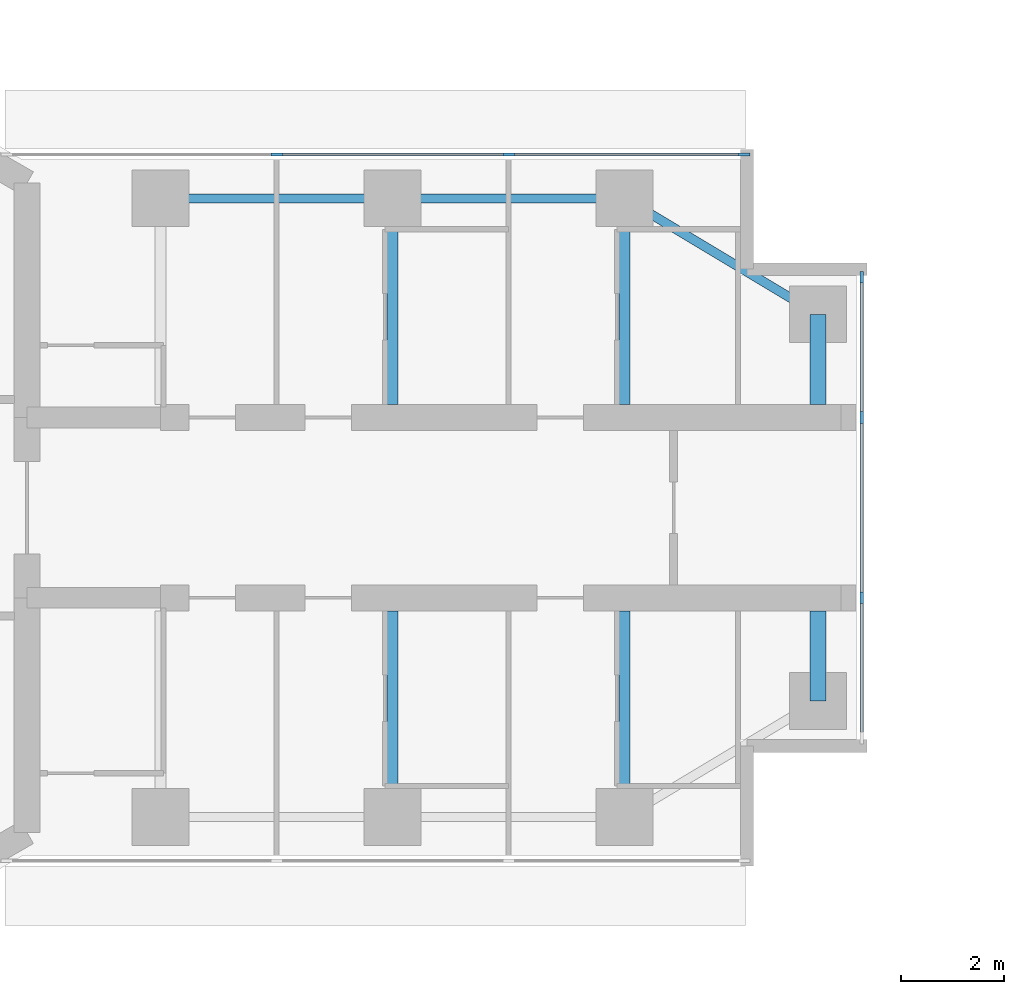
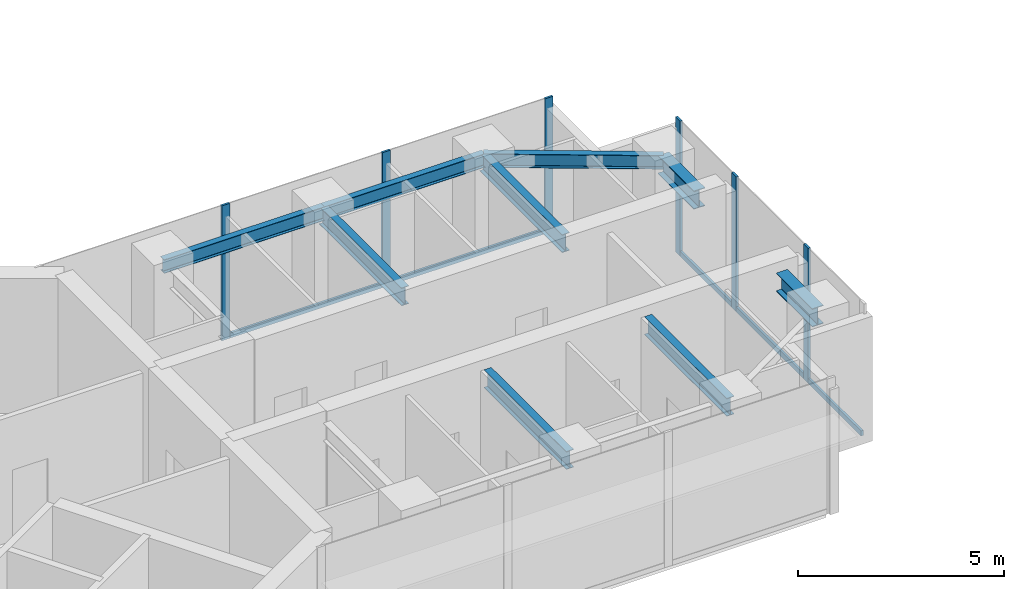
# One storey, part 7 of 17: 11 members, 9 beams, 2 elements without a shape of their own.
"""IFC4 building model written with IfcOpenShell, lengths in metres."""

from ifc_helpers import new_model, si_unit, direction, frame, origin, origin_2d, place, context, subcontext, project, spatial, rectangle, i_section, extrude, material, material_profile, profile_set, type_object, element, aggregate, save


model = new_model("IFC4")

# Units and contexts
model_context = context("Model", 3, precision=1e-05, world=origin(), true_north=direction((0.0, 1.0)))
body_context = subcontext(model_context, "Body", "Model", "MODEL_VIEW")
ifc_project = project(units=[si_unit("LENGTHUNIT", "METRE"), si_unit("AREAUNIT", "SQUARE_METRE"), si_unit("VOLUMEUNIT", "CUBIC_METRE"), si_unit("PLANEANGLEUNIT", "RADIAN"), si_unit("MASSUNIT", "GRAM", prefix="KILO")], contexts=[model_context])

# Site, building, storey
site_placement = place(None, origin())
site = spatial("IfcSite", under=ifc_project, at=site_placement, CompositionType="ELEMENT")
building_placement = place(site_placement, origin())
building = spatial("IfcBuilding", under=site, at=building_placement, Name="Upepo Twin Towers", CompositionType="ELEMENT")
storey_placement = place(building_placement, frame((0.0, 0.0, 234.5)))
storey = spatial("IfcBuildingStorey", under=building, at=storey_placement, Name="L57", CompositionType="ELEMENT", Elevation=234.5)

# Beams
ifc_material_1 = material(Name="Steel S355", Category="steel")
ifc_material_profile_1 = material_profile(ifc_material_1, i_section(OverallWidth=0.177978515625, OverallDepth=0.406494140625, WebThickness=0.0078125, FlangeThickness=0.0126953125, FilletRadius=0.01025390625, at=origin_2d()), Name="UB 406x178x60")
ifc_profile_set_1 = profile_set([ifc_material_profile_1], Name="Steel S355")
beam_type_1 = type_object("IfcBeamType", Name="Beam UB 406x178x60", PredefinedType="BEAM", material=ifc_profile_set_1)
for number, where, z_axis, x_axis, name in (
    (1, (13.5, 6.0, 3.496826171875), (1.0, 0.0, 0.0), (0.0, 1.0, 0.0), "T1 edge beam AL 13.5-18.0"),
    (2, (18.0, 6.0, 3.496826171875), (1.0, 0.0, 0.0), (0.0, 1.0, 0.0), "T1 edge beam AL 18.0-22.5"),
):
    element("IfcBeam", number, at=place(storey_placement, frame(where, z_axis=z_axis, x_axis=x_axis)), inside=storey, type_object=beam_type_1, Name=name, PredefinedType="BEAM", context=body_context, shape_type="SweptSolid", body=[
        extrude(i_section(OverallWidth=0.177978515625, OverallDepth=0.406494140625, WebThickness=0.0078125, FlangeThickness=0.0126953125, FilletRadius=0.01025390625, at=origin_2d()), origin(), (0.0, 0.0, 1.0), 4.5),
    ])
beam_placement = place(storey_placement, frame((22.5, 6.0, 3.496826171875), z_axis=(0.857492925713, -0.514495755428, 0.0), x_axis=(0.514495755428, 0.857492925713, 0.0)))
element("IfcBeam", 3, at=beam_placement, inside=storey, type_object=beam_type_1, Name="T1 nose edge beam AL", PredefinedType="BEAM", context=body_context, shape_type="SweptSolid", body=[
    extrude(i_section(OverallWidth=0.177978515625, OverallDepth=0.406494140625, WebThickness=0.0078125, FlangeThickness=0.0126953125, FilletRadius=0.01025390625, at=origin_2d()), origin(), (0.0, 0.0, 1.0), 4.373291015625),
])
ifc_material_2 = material(Name="Steel S355", Category="steel")
ifc_material_profile_2 = material_profile(ifc_material_2, i_section(OverallWidth=0.209228515625, OverallDepth=0.533203125, WebThickness=0.010009765625, FlangeThickness=0.015625, FilletRadius=0.0126953125, at=origin_2d()), Name="UB 533x210x92")
ifc_profile_set_2 = profile_set([ifc_material_profile_2], Name="Steel S355")
beam_type_2 = type_object("IfcBeamType", Name="Beam UB 533x210x92", PredefinedType="BEAM", material=ifc_profile_set_2)
for number, where, z_axis, x_axis, name in (
    (4, (18.0, 6.0, 3.433349609375), (0.0, -1.0, 0.0), (1.0, 0.0, 0.0), "T1 girder AL at 18.0"),
    (5, (22.5, 6.0, 3.433349609375), (0.0, -1.0, 0.0), (1.0, 0.0, 0.0), "T1 girder AL at 22.5"),
    (6, (18.0, -6.0, 3.433349609375), (0.0, 1.0, 0.0), (-1.0, 0.0, 0.0), "T1 girder AR at 18.0"),
    (7, (22.5, -6.0, 3.433349609375), (0.0, 1.0, 0.0), (-1.0, 0.0, 0.0), "T1 girder AR at 22.5"),
):
    element("IfcBeam", number, at=place(storey_placement, frame(where, z_axis=z_axis, x_axis=x_axis)), inside=storey, type_object=beam_type_2, Name=name, PredefinedType="BEAM", context=body_context, shape_type="SweptSolid", body=[
        extrude(i_section(OverallWidth=0.209228515625, OverallDepth=0.533203125, WebThickness=0.010009765625, FlangeThickness=0.015625, FilletRadius=0.0126953125, at=origin_2d()), origin(), (0.0, 0.0, 1.0), 4.0),
    ])
ifc_material_3 = material(Name="Steel S355", Category="steel")
ifc_material_profile_3 = material_profile(ifc_material_3, i_section(OverallWidth=0.31201171875, OverallDepth=0.54345703125, WebThickness=0.0126953125, FlangeThickness=0.020263671875, FilletRadius=0.0126953125, at=origin_2d()), Name="UB 533x312x150")
ifc_profile_set_3 = profile_set([ifc_material_profile_3], Name="Steel S355")
beam_type_3 = type_object("IfcBeamType", Name="Beam UB 533x312x150", PredefinedType="BEAM", material=ifc_profile_set_3)
for number, where, z_axis, x_axis, name in (
    (8, (26.25, 3.75, 3.42822265625), (0.0, -1.0, 0.0), (1.0, 0.0, 0.0), "T1 nose beam AL"),
    (9, (26.25, -3.75, 3.42822265625), (0.0, 1.0, 0.0), (-1.0, 0.0, 0.0), "T1 nose beam AR"),
):
    element("IfcBeam", number, at=place(storey_placement, frame(where, z_axis=z_axis, x_axis=x_axis)), inside=storey, type_object=beam_type_3, Name=name, PredefinedType="BEAM", context=body_context, shape_type="SweptSolid", body=[
        extrude(i_section(OverallWidth=0.31201171875, OverallDepth=0.54345703125, WebThickness=0.0126953125, FlangeThickness=0.020263671875, FilletRadius=0.0126953125, at=origin_2d()), origin(), (0.0, 0.0, 1.0), 1.75),
    ])

# Curtain wall, members
ifc_material_4 = material(Name="Aluminium and fritted glass", Category="aluminium")
curtain_wall_type = type_object("IfcCurtainWallType", Name="Tower curtain wall TW3, fritted glass", PredefinedType="NOTDEFINED", material=ifc_material_4)
curtain_wall_1_placement = place(storey_placement, origin())
curtain_wall_1 = element("IfcCurtainWall", 10, at=curtain_wall_1_placement, inside=storey, type_object=curtain_wall_type, Name="T1 L57 wing A flank L curtain wall", PredefinedType="NOTDEFINED")
ifc_material_5 = material(Name="Aluminium mullion", Category="aluminium")
ifc_material_profile_4 = material_profile(ifc_material_5, rectangle(XDim=0.06494140625, YDim=0.22509765625, at=origin_2d()), Name="MULLION 65x225")
ifc_profile_set_4 = profile_set([ifc_material_profile_4], Name="Aluminium mullion")
member_type_1 = type_object("IfcMemberType", Name="Mullion 65x225 TW3", PredefinedType="MULLION", material=ifc_profile_set_4)
member_1_placement = place(storey_placement, frame((15.75, 6.85009765625, 0.0), z_axis=(0.0, 0.0, 1.0), x_axis=(0.0, 1.0, 0.0)))
member_1 = element("IfcMember", 11, at=member_1_placement, type_object=member_type_1, Name="T1 L57 wing A flank L curtain wall mullion 2", PredefinedType="MULLION", context=body_context, shape_type="SweptSolid", body=[
    extrude(rectangle(XDim=0.06494140625, YDim=0.22509765625, at=origin_2d()), origin(), (0.0, 0.0, 1.0), 4.0),
])
member_2_placement = place(storey_placement, frame((20.25, 6.85009765625, 0.0), z_axis=(0.0, 0.0, 1.0), x_axis=(0.0, 1.0, 0.0)))
member_2 = element("IfcMember", 12, at=member_2_placement, type_object=member_type_1, Name="T1 L57 wing A flank L curtain wall mullion 3", PredefinedType="MULLION", context=body_context, shape_type="SweptSolid", body=[
    extrude(rectangle(XDim=0.06494140625, YDim=0.22509765625, at=origin_2d()), origin(), (0.0, 0.0, 1.0), 4.0),
])
member_3_placement = place(storey_placement, frame((24.8173828125, 6.85009765625, 0.0), z_axis=(0.0, 0.0, 1.0), x_axis=(0.0, 1.0, 0.0)))
member_3 = element("IfcMember", 13, at=member_3_placement, type_object=member_type_1, Name="T1 L57 wing A flank L curtain wall mullion 4", PredefinedType="MULLION", context=body_context, shape_type="SweptSolid", body=[
    extrude(rectangle(XDim=0.06494140625, YDim=0.22509765625, at=origin_2d()), origin(), (0.0, 0.0, 1.0), 4.0),
])

curtain_wall_2_placement = place(storey_placement, origin())
curtain_wall_2 = element("IfcCurtainWall", 14, at=curtain_wall_2_placement, inside=storey, type_object=curtain_wall_type, Name="T1 L57 wing A nose curtain wall", PredefinedType="NOTDEFINED")
member_4_placement = place(storey_placement, frame((27.10009765625, -1.75, 0.0), z_axis=(0.0, 0.0, 1.0), x_axis=(-1.0, 0.0, 0.0)))
member_4 = element("IfcMember", 15, at=member_4_placement, type_object=member_type_1, Name="T1 L57 wing A nose curtain wall mullion 2", PredefinedType="MULLION", context=body_context, shape_type="SweptSolid", body=[
    extrude(rectangle(XDim=0.06494140625, YDim=0.22509765625, at=origin_2d()), origin(), (0.0, 0.0, 1.0), 4.0),
])
member_5_placement = place(storey_placement, frame((27.10009765625, 1.75, 0.0), z_axis=(0.0, 0.0, 1.0), x_axis=(-1.0, 0.0, 0.0)))
member_5 = element("IfcMember", 16, at=member_5_placement, type_object=member_type_1, Name="T1 L57 wing A nose curtain wall mullion 3", PredefinedType="MULLION", context=body_context, shape_type="SweptSolid", body=[
    extrude(rectangle(XDim=0.06494140625, YDim=0.22509765625, at=origin_2d()), origin(), (0.0, 0.0, 1.0), 4.0),
])
member_6_placement = place(storey_placement, frame((27.10009765625, 4.467529296875, 0.0), z_axis=(0.0, 0.0, 1.0), x_axis=(-1.0, 0.0, 0.0)))
member_6 = element("IfcMember", 17, at=member_6_placement, type_object=member_type_1, Name="T1 L57 wing A nose curtain wall mullion 4", PredefinedType="MULLION", context=body_context, shape_type="SweptSolid", body=[
    extrude(rectangle(XDim=0.06494140625, YDim=0.22509765625, at=origin_2d()), origin(), (0.0, 0.0, 1.0), 4.0),
])

# Member
ifc_material_6 = material(Name="Aluminium transom", Category="aluminium")
ifc_material_profile_5 = material_profile(ifc_material_6, rectangle(XDim=0.06494140625, YDim=0.14990234375, at=origin_2d()), Name="TRANSOM 65x150")
ifc_profile_set_5 = profile_set([ifc_material_profile_5], Name="Aluminium transom")
member_type_2 = type_object("IfcMemberType", Name="Transom 65x150 TW3", PredefinedType="USERDEFINED", material=ifc_profile_set_5)
member_7_placement = place(storey_placement, frame((15.782470703125, 6.85009765625, 0.074951171875), z_axis=(1.0, 0.0, 0.0), x_axis=(0.0, 1.0, 0.0)))
member_7 = element("IfcMember", 18, at=member_7_placement, type_object=member_type_2, Name="T1 L57 wing A flank L curtain wall transom 2", ObjectType="TRANSOM", PredefinedType="USERDEFINED", context=body_context, shape_type="SweptSolid", body=[
    extrude(rectangle(XDim=0.06494140625, YDim=0.14990234375, at=origin_2d()), origin(), (0.0, 0.0, 1.0), 4.43505859375),
])

member_8_placement = place(storey_placement, frame((20.282470703125, 6.85009765625, 0.074951171875), z_axis=(1.0, 0.0, 0.0), x_axis=(0.0, 1.0, 0.0)))
member_8 = element("IfcMember", 19, at=member_8_placement, type_object=member_type_2, Name="T1 L57 wing A flank L curtain wall transom 3", ObjectType="TRANSOM", PredefinedType="USERDEFINED", context=body_context, shape_type="SweptSolid", body=[
    extrude(rectangle(XDim=0.06494140625, YDim=0.14990234375, at=origin_2d()), origin(), (0.0, 0.0, 1.0), 4.50244140625),
])

aggregate(curtain_wall_1, [member_1, member_2, member_3, member_7, member_8])

member_9_placement = place(storey_placement, frame((27.10009765625, -4.43505859375, 0.074951171875), z_axis=(0.0, 1.0, 0.0), x_axis=(-1.0, 0.0, 0.0)))
member_9 = element("IfcMember", 20, at=member_9_placement, type_object=member_type_2, Name="T1 L57 wing A nose curtain wall transom 1", ObjectType="TRANSOM", PredefinedType="USERDEFINED", context=body_context, shape_type="SweptSolid", body=[
    extrude(rectangle(XDim=0.06494140625, YDim=0.14990234375, at=origin_2d()), origin(), (0.0, 0.0, 1.0), 2.652587890625),
])

member_10_placement = place(storey_placement, frame((27.10009765625, -1.717529296875, 0.074951171875), z_axis=(0.0, 1.0, 0.0), x_axis=(-1.0, 0.0, 0.0)))
member_10 = element("IfcMember", 21, at=member_10_placement, type_object=member_type_2, Name="T1 L57 wing A nose curtain wall transom 2", ObjectType="TRANSOM", PredefinedType="USERDEFINED", context=body_context, shape_type="SweptSolid", body=[
    extrude(rectangle(XDim=0.06494140625, YDim=0.14990234375, at=origin_2d()), origin(), (0.0, 0.0, 1.0), 3.43505859375),
])

member_11_placement = place(storey_placement, frame((27.10009765625, 1.782470703125, 0.074951171875), z_axis=(0.0, 1.0, 0.0), x_axis=(-1.0, 0.0, 0.0)))
member_11 = element("IfcMember", 22, at=member_11_placement, type_object=member_type_2, Name="T1 L57 wing A nose curtain wall transom 3", ObjectType="TRANSOM", PredefinedType="USERDEFINED", context=body_context, shape_type="SweptSolid", body=[
    extrude(rectangle(XDim=0.06494140625, YDim=0.14990234375, at=origin_2d()), origin(), (0.0, 0.0, 1.0), 2.652587890625),
])

aggregate(curtain_wall_2, [member_4, member_5, member_6, member_9, member_10, member_11])

save(model, "model.ifc")
